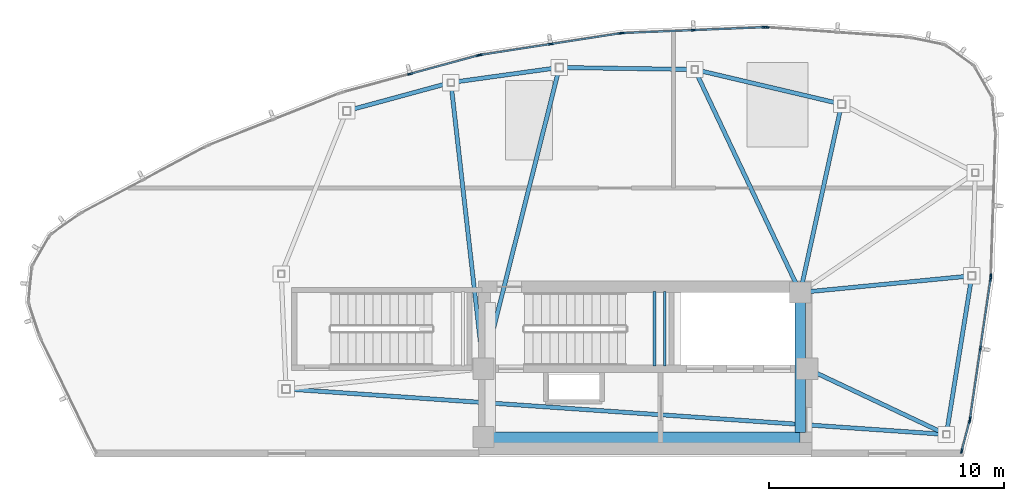
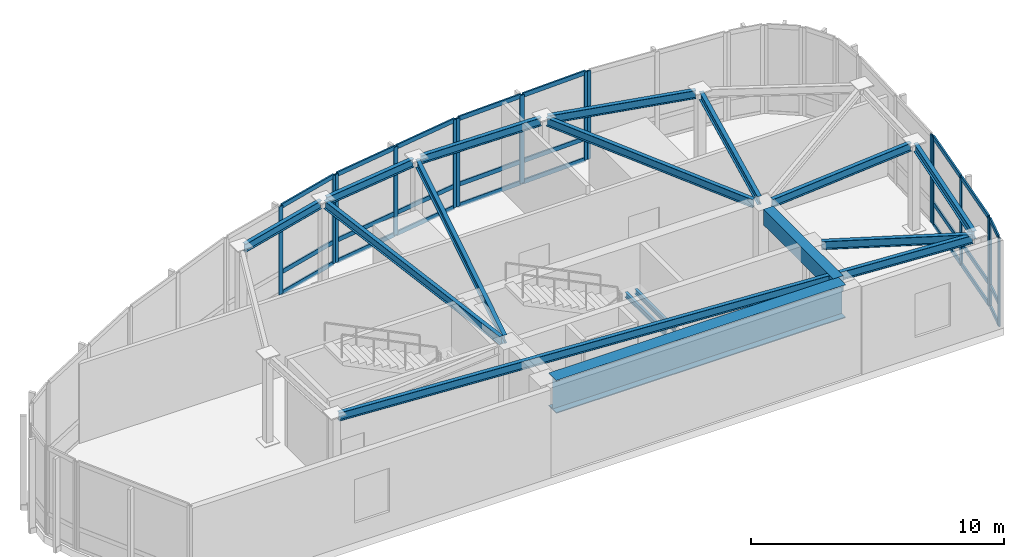
# One storey, part 3 of 10: 39 members, 16 beams, 7 elements without a shape of their own.
"""IFC4 building model written with IfcOpenShell, lengths in metres."""

from ifc_helpers import new_model, si_unit, direction, frame, origin, origin_2d, place, context, subcontext, project, spatial, rectangle, hollow_rectangle, i_section, extrude, source, transform, mapped, material, layer, layer_set, material_profile, profile_set, type_object, type_shapes, element, aggregate, save


model = new_model("IFC4")

# Units and contexts
model_context = context("Model", 3, precision=1e-05, world=origin(), true_north=direction((0.0, 1.0)))
body_context = subcontext(model_context, "Body", "Model", "MODEL_VIEW")
ifc_project = project(units=[si_unit("LENGTHUNIT", "METRE"), si_unit("AREAUNIT", "SQUARE_METRE"), si_unit("VOLUMEUNIT", "CUBIC_METRE"), si_unit("PLANEANGLEUNIT", "RADIAN"), si_unit("MASSUNIT", "GRAM", prefix="KILO")], contexts=[model_context])

# Site, building, storey
site_placement = place(None, origin())
site = spatial("IfcSite", under=ifc_project, at=site_placement, CompositionType="ELEMENT")
building_placement = place(site_placement, origin())
building = spatial("IfcBuilding", under=site, at=building_placement, Name="Tavelor Broadcast Tower", CompositionType="ELEMENT")
storey_placement = place(building_placement, frame((0.0, 0.0, 355.10009765625)))
storey = spatial("IfcBuildingStorey", under=building, at=storey_placement, Name="L84", CompositionType="ELEMENT", Elevation=355.10009765625)

# Beams
ifc_material_1 = material(Name="Concrete C40/50", Category="concrete")
ifc_material_profile_1 = material_profile(ifc_material_1, rectangle(XDim=0.449951171875, YDim=0.75, at=origin_2d()), Name="RC 450x750")
ifc_profile_set_1 = profile_set([ifc_material_profile_1], Name="Concrete C40/50")
beam_type_1 = type_object("IfcBeamType", Name="Basement Core Trim Beam 450x750", PredefinedType="BEAM", material=ifc_profile_set_1)
beam_1_placement = place(storey_placement, frame((56.60009765625, 45.23193359375, 3.875), z_axis=(0.0, 1.0, 0.0), x_axis=(-1.0, 0.0, 0.0)))
element("IfcBeam", 1, at=beam_1_placement, inside=storey, type_object=beam_type_1, Name="L84 Core East-N Tie Girder", PredefinedType="BEAM", context=body_context, shape_type="SweptSolid", body=[
    extrude(rectangle(XDim=0.449951171875, YDim=0.75, at=origin_2d()), origin(), (0.0, 0.0, 1.0), 5.5361328125),
])
ifc_material_2 = material(Name="Steel S355", Category="steel")
ifc_material_profile_2 = material_profile(ifc_material_2, i_section(OverallWidth=0.179931640625, OverallDepth=0.39990234375, WebThickness=0.008544921875, FlangeThickness=0.013427734375, at=origin_2d()), Name="IPE 400")
ifc_profile_set_2 = profile_set([ifc_material_profile_2], Name="Steel S355")
beam_type_2 = type_object("IfcBeamType", Name="Crown Ring Spandrel Beam IPE400", PredefinedType="SPANDREL", material=ifc_profile_set_2)
beam_2_placement = place(storey_placement, frame((34.868896484375, 47.07763671875, 4.0498046875), z_axis=(0.997631178399, -0.068789765859, 0.0), x_axis=(0.068789765859, 0.997631178399, 0.0)))
element("IfcBeam", 2, at=beam_2_placement, inside=storey, type_object=beam_type_2, Name="L84 Crown Peak A Ring Spandrel 3", PredefinedType="SPANDREL", context=body_context, shape_type="SweptSolid", body=[
    extrude(i_section(OverallWidth=0.179931640625, OverallDepth=0.39990234375, WebThickness=0.008544921875, FlangeThickness=0.013427734375, at=origin_2d()), origin(), (0.0, 0.0, 1.0), 27.870849609375),
])
beam_3_placement = place(storey_placement, frame((62.8505859375, 45.301025390625, 4.0498046875), z_axis=(0.158423056648, 0.987371325856, 0.0), x_axis=(-0.987371325856, 0.158423056648, 0.0)))
element("IfcBeam", 3, at=beam_3_placement, inside=storey, type_object=beam_type_2, Name="L84 Crown Peak A Ring Spandrel 4", PredefinedType="SPANDREL", context=body_context, shape_type="SweptSolid", body=[
    extrude(i_section(OverallWidth=0.179931640625, OverallDepth=0.39990234375, WebThickness=0.008544921875, FlangeThickness=0.013427734375, at=origin_2d()), origin(), (0.0, 0.0, 1.0), 6.515625),
])
beam_4_placement = place(storey_placement, frame((57.29052734375, 47.765380859375, 4.0498046875), z_axis=(0.904175381404, -0.427161421085, 0.0), x_axis=(0.427161421085, 0.904175381404, 0.0)))
element("IfcBeam", 4, at=beam_4_placement, inside=storey, type_object=beam_type_2, Name="L84 Crown Peak A Radial Beam 4", PredefinedType="SPANDREL", context=body_context, shape_type="SweptSolid", body=[
    extrude(i_section(OverallWidth=0.179931640625, OverallDepth=0.39990234375, WebThickness=0.008544921875, FlangeThickness=0.013427734375, at=origin_2d()), origin(), (0.0, 0.0, 1.0), 5.9697265625),
])
beam_5_placement = place(storey_placement, frame((57.030029296875, 51.24169921875, 4.0498046875), z_axis=(0.995308664836, 0.096750512672, 0.0), x_axis=(-0.096750512672, 0.995308664836, 0.0)))
element("IfcBeam", 5, at=beam_5_placement, inside=storey, type_object=beam_type_2, Name="L84 Crown Peak A Radial Beam 5", PredefinedType="SPANDREL", context=body_context, shape_type="SweptSolid", body=[
    extrude(i_section(OverallWidth=0.179931640625, OverallDepth=0.39990234375, WebThickness=0.008544921875, FlangeThickness=0.013427734375, at=origin_2d()), origin(), (0.0, 0.0, 1.0), 6.73486328125),
])
beam_6_placement = place(storey_placement, frame((58.190185546875, 59.26708984375, 4.0498046875), z_axis=(-0.973331019838, 0.229405156485, 0.0), x_axis=(-0.229405156485, -0.973331019838, 0.0)))
element("IfcBeam", 6, at=beam_6_placement, inside=storey, type_object=beam_type_2, Name="L84 Crown Peak A Ring Spandrel 7", PredefinedType="SPANDREL", context=body_context, shape_type="SweptSolid", body=[
    extrude(i_section(OverallWidth=0.179931640625, OverallDepth=0.39990234375, WebThickness=0.008544921875, FlangeThickness=0.013427734375, at=origin_2d()), origin(), (0.0, 0.0, 1.0), 6.10009765625),
])
beam_7_placement = place(storey_placement, frame((56.692626953125, 51.621826171875, 4.0498046875), z_axis=(0.21466342247, 0.976688084832, 0.0), x_axis=(-0.976688084832, 0.21466342247, 0.0)))
element("IfcBeam", 7, at=beam_7_placement, inside=storey, type_object=beam_type_2, Name="L84 Crown Peak A Radial Beam 7", PredefinedType="SPANDREL", context=body_context, shape_type="SweptSolid", body=[
    extrude(i_section(OverallWidth=0.179931640625, OverallDepth=0.39990234375, WebThickness=0.008544921875, FlangeThickness=0.013427734375, at=origin_2d()), origin(), (0.0, 0.0, 1.0), 7.607421875),
])
beam_8_placement = place(storey_placement, frame((51.950927734375, 60.703857421875, 4.0498046875), z_axis=(-0.999890824975, 0.01477626921, 0.0), x_axis=(-0.01477626921, -0.999890824975, 0.0)))
element("IfcBeam", 8, at=beam_8_placement, inside=storey, type_object=beam_type_2, Name="L84 Crown Peak A Ring Spandrel 8", PredefinedType="SPANDREL", context=body_context, shape_type="SweptSolid", body=[
    extrude(i_section(OverallWidth=0.179931640625, OverallDepth=0.39990234375, WebThickness=0.008544921875, FlangeThickness=0.013427734375, at=origin_2d()), origin(), (0.0, 0.0, 1.0), 5.435791015625),
])
beam_9_placement = place(storey_placement, frame((56.415283203125, 51.590576171875, 4.0498046875), z_axis=(-0.427748000898, 0.903898029497, 0.0), x_axis=(-0.903898029497, -0.427748000898, 0.0)))
element("IfcBeam", 9, at=beam_9_placement, inside=storey, type_object=beam_type_2, Name="L84 Crown Peak A Radial Beam 8", PredefinedType="SPANDREL", context=body_context, shape_type="SweptSolid", body=[
    extrude(i_section(OverallWidth=0.179931640625, OverallDepth=0.39990234375, WebThickness=0.008544921875, FlangeThickness=0.013427734375, at=origin_2d()), origin(), (0.0, 0.0, 1.0), 9.926513671875),
])
beam_10_placement = place(storey_placement, frame((46.160400390625, 60.762451171875, 4.0498046875), z_axis=(-0.990512514029, -0.13742255838, 0.0), x_axis=(0.13742255838, -0.990512514029, 0.0)))
element("IfcBeam", 10, at=beam_10_placement, inside=storey, type_object=beam_type_2, Name="L84 Crown Peak A Ring Spandrel 9", PredefinedType="SPANDREL", context=body_context, shape_type="SweptSolid", body=[
    extrude(i_section(OverallWidth=0.179931640625, OverallDepth=0.39990234375, WebThickness=0.008544921875, FlangeThickness=0.013427734375, at=origin_2d()), origin(), (0.0, 0.0, 1.0), 4.334716796875),
])
beam_11_placement = place(storey_placement, frame((43.20556640625, 48.368896484375, 4.0498046875), z_axis=(0.244522996769, 0.969643493275, 0.0), x_axis=(-0.969643493275, 0.244522996769, 0.0)))
element("IfcBeam", 11, at=beam_11_placement, inside=storey, type_object=beam_type_2, Name="L84 Crown Peak A Radial Beam 9", PredefinedType="SPANDREL", context=body_context, shape_type="SweptSolid", body=[
    extrude(i_section(OverallWidth=0.179931640625, OverallDepth=0.39990234375, WebThickness=0.008544921875, FlangeThickness=0.013427734375, at=origin_2d()), origin(), (0.0, 0.0, 1.0), 12.628173828125),
])
beam_12_placement = place(storey_placement, frame((41.5673828125, 60.105712890625, 4.0498046875), z_axis=(-0.964933753027, -0.262493528053, 0.0), x_axis=(0.262493528053, -0.964933753027, 0.0)))
element("IfcBeam", 12, at=beam_12_placement, inside=storey, type_object=beam_type_2, Name="L84 Crown Peak A Ring Spandrel 10", PredefinedType="SPANDREL", context=body_context, shape_type="SweptSolid", body=[
    extrude(i_section(OverallWidth=0.179931640625, OverallDepth=0.39990234375, WebThickness=0.008544921875, FlangeThickness=0.013427734375, at=origin_2d()), origin(), (0.0, 0.0, 1.0), 4.27197265625),
])
beam_13_placement = place(storey_placement, frame((43.05126953125, 48.379150390625, 4.0498046875), z_axis=(-0.112824398256, 0.993614943103, 0.0), x_axis=(-0.993614943103, -0.112824398256, 0.0)))
element("IfcBeam", 13, at=beam_13_placement, inside=storey, type_object=beam_type_2, Name="L84 Crown Peak A Radial Beam 10", PredefinedType="SPANDREL", context=body_context, shape_type="SweptSolid", body=[
    extrude(i_section(OverallWidth=0.179931640625, OverallDepth=0.39990234375, WebThickness=0.008544921875, FlangeThickness=0.013427734375, at=origin_2d()), origin(), (0.0, 0.0, 1.0), 11.689453125),
])
ifc_material_3 = material(Name="Steel S460", Category="steel")
ifc_material_profile_3 = material_profile(ifc_material_3, i_section(OverallWidth=0.60009765625, OverallDepth=1.60009765625, WebThickness=0.028076171875, FlangeThickness=0.048095703125, at=origin_2d()), Name="PG 1600x600")
ifc_profile_set_3 = profile_set([ifc_material_profile_3], Name="Steel S460")
beam_type_3 = type_object("IfcBeamType", Name="Crown and Spire Transfer Girder PG1600", PredefinedType="BEAM", material=ifc_profile_set_3)
beam_14_placement = place(storey_placement, frame((43.39990234375, 44.949951171875, 3.449951171875), z_axis=(1.0, 0.0, 0.0), x_axis=(0.0, 1.0, 0.0)))
element("IfcBeam", 14, at=beam_14_placement, inside=storey, type_object=beam_type_3, Name="L84 Spire Transfer Girder S", PredefinedType="BEAM", context=body_context, shape_type="SweptSolid", body=[
    extrude(i_section(OverallWidth=0.60009765625, OverallDepth=1.60009765625, WebThickness=0.028076171875, FlangeThickness=0.048095703125, at=origin_2d()), origin(), (0.0, 0.0, 1.0), 13.2001953125),
])
ifc_material_profile_4 = material_profile(ifc_material_2, i_section(OverallWidth=0.1201171875, OverallDepth=0.239990234375, WebThickness=0.006103515625, FlangeThickness=0.009765625, at=origin_2d()), Name="IPE 240")
ifc_profile_set_4 = profile_set([ifc_material_profile_4], Name="Steel S355")
beam_type_4 = type_object("IfcBeamType", Name="Stairwell Landing Support Trimmer Beam IPE240", PredefinedType="BEAM", material=ifc_profile_set_4)
for number, where, z_axis, x_axis, name in (
    (15, (50.385009765625, 48.06005859375, 1.98486328125), (0.0, 1.0, 0.0), (-1.0, 0.0, 0.0), "L84 Stair Landing Support Beam 213"),
    (16, (50.824951171875, 48.06005859375, 1.98486328125), (0.0, 1.0, 0.0), (-1.0, 0.0, 0.0), "L84 Stair Landing Support Beam 214"),
):
    element("IfcBeam", number, at=place(storey_placement, frame(where, z_axis=z_axis, x_axis=x_axis)), inside=storey, type_object=beam_type_4, Name=name, PredefinedType="BEAM", context=body_context, shape_type="SweptSolid", body=[
        extrude(i_section(OverallWidth=0.1201171875, OverallDepth=0.239990234375, WebThickness=0.006103515625, FlangeThickness=0.009765625, at=origin_2d()), origin(), (0.0, 0.0, 1.0), 3.179931640625),
    ])

# Curtain wall, members
ifc_material_4 = material(Name="Architectural Anodized Aluminium", Category="aluminium")
ifc_layer = layer(ifc_material_4, 0.2099609375)
ifc_layer_set = layer_set([ifc_layer], Name="Architectural Anodized Aluminium")
curtain_wall_type = type_object("IfcCurtainWallType", Name="Split-Crown Beacon Curtain Wall CW06", PredefinedType="NOTDEFINED", material=ifc_layer_set)
curtain_wall_1_placement = place(storey_placement, origin())
curtain_wall_1 = element("IfcCurtainWall", 17, at=curtain_wall_1_placement, inside=storey, type_object=curtain_wall_type, Name="L84 Curtain Wall CW06 Run 989", PredefinedType="NOTDEFINED")
ifc_material_profile_5 = material_profile(ifc_material_4, hollow_rectangle(XDim=0.072021484375, YDim=0.2099609375, WallThickness=0.02197265625, at=origin_2d()), Name="RHS 72x210x22")
ifc_profile_set_5 = profile_set([ifc_material_profile_5], Name="Architectural Anodized Aluminium")
member_type_1 = type_object("IfcMemberType", Name="CW06 Extruded Aluminium Mullion 72x210", PredefinedType="MULLION", material=ifc_profile_set_5)
shared_shape_1 = source(origin(), body_context, "Body", "SweptSolid", [
    extrude(hollow_rectangle(XDim=0.072021484375, YDim=0.2099609375, WallThickness=0.02197265625, at=origin_2d()), origin(), (0.0, 0.0, 1.0), 4.25),
])
type_shapes(member_type_1, [shared_shape_1])
member_1_placement = place(storey_placement, frame((63.47998046875, 44.4521484375, 0.0), z_axis=(0.0, 0.0, 1.0), x_axis=(-0.966886519621, 0.255206696964, 0.0)))
member_1 = element("IfcMember", 18, at=member_1_placement, type_object=member_type_1, Name="CW06 mullion 1", PredefinedType="MULLION", context=body_context, shape_type="MappedRepresentation", body=[
    mapped(shared_shape_1, transform((0.0, 0.0, 0.0), scale=1.0)),
])
member_2_placement = place(storey_placement, frame((63.815673828125, 45.723388671875, 0.0), z_axis=(0.0, 0.0, 1.0), x_axis=(-0.966886519621, 0.255206696964, 0.0)))
member_2 = element("IfcMember", 19, at=member_2_placement, type_object=member_type_1, Name="CW06 mullion 2", PredefinedType="MULLION", context=body_context, shape_type="MappedRepresentation", body=[
    mapped(shared_shape_1, transform((0.0, 0.0, 0.0), scale=1.0)),
])

curtain_wall_2_placement = place(storey_placement, origin())
curtain_wall_2 = element("IfcCurtainWall", 20, at=curtain_wall_2_placement, inside=storey, type_object=curtain_wall_type, Name="L84 Curtain Wall CW06 Run 990", PredefinedType="NOTDEFINED")
member_3_placement = place(storey_placement, frame((63.8359375, 45.8232421875, 0.0), z_axis=(0.0, 0.0, 1.0), x_axis=(-0.989393877841, 0.145257545382, 0.0)))
member_3 = element("IfcMember", 21, at=member_3_placement, type_object=member_type_1, Name="CW06 mullion 1", PredefinedType="MULLION", context=body_context, shape_type="MappedRepresentation", body=[
    mapped(shared_shape_1, transform((0.0, 0.0, 0.0), scale=1.0)),
])
member_4_placement = place(storey_placement, frame((64.27392578125, 48.805419921875, 0.0), z_axis=(0.0, 0.0, 1.0), x_axis=(-0.989393877841, 0.145257545382, 0.0)))
member_4 = element("IfcMember", 22, at=member_4_placement, type_object=member_type_1, Name="CW06 mullion 2", PredefinedType="MULLION", context=body_context, shape_type="MappedRepresentation", body=[
    mapped(shared_shape_1, transform((0.0, 0.0, 0.0), scale=1.0)),
])
member_5_placement = place(storey_placement, frame((64.711669921875, 51.78759765625, 0.0), z_axis=(0.0, 0.0, 1.0), x_axis=(-0.989393877841, 0.145257545382, 0.0)))
member_5 = element("IfcMember", 23, at=member_5_placement, type_object=member_type_1, Name="CW06 mullion 3", PredefinedType="MULLION", context=body_context, shape_type="MappedRepresentation", body=[
    mapped(shared_shape_1, transform((0.0, 0.0, 0.0), scale=1.0)),
])

# Curtain wall, member
curtain_wall_3_placement = place(storey_placement, origin())
curtain_wall_3 = element("IfcCurtainWall", 24, at=curtain_wall_3_placement, inside=storey, type_object=curtain_wall_type, Name="L84 Curtain Wall CW06 Run 991", PredefinedType="NOTDEFINED")
member_6_placement = place(storey_placement, frame((64.720703125, 51.888916015625, 0.0), z_axis=(0.0, 0.0, 1.0), x_axis=(-0.999438263288, 0.033513547637, 0.0)))
member_6 = element("IfcMember", 25, at=member_6_placement, type_object=member_type_1, Name="CW06 mullion 1", PredefinedType="MULLION", context=body_context, shape_type="MappedRepresentation", body=[
    mapped(shared_shape_1, transform((0.0, 0.0, 0.0), scale=1.0)),
])
aggregate(curtain_wall_3, [member_6])

curtain_wall_4_placement = place(storey_placement, origin())
curtain_wall_4 = element("IfcCurtainWall", 26, at=curtain_wall_4_placement, inside=storey, type_object=curtain_wall_type, Name="L84 Curtain Wall CW06 Run 996", PredefinedType="NOTDEFINED")
member_7_placement = place(storey_placement, frame((55.166259765625, 62.500244140625, 0.0), z_axis=(0.0, 0.0, 1.0), x_axis=(-0.071142181875, -0.997466184869, 0.0)))
member_7 = element("IfcMember", 27, at=member_7_placement, type_object=member_type_1, Name="CW06 mullion 3", PredefinedType="MULLION", context=body_context, shape_type="MappedRepresentation", body=[
    mapped(shared_shape_1, transform((0.0, 0.0, 0.0), scale=1.0)),
])
aggregate(curtain_wall_4, [member_7])

# Curtain wall, members
curtain_wall_5_placement = place(storey_placement, origin())
curtain_wall_5 = element("IfcCurtainWall", 28, at=curtain_wall_5_placement, inside=storey, type_object=curtain_wall_type, Name="L84 Curtain Wall CW06 Run 997", PredefinedType="NOTDEFINED")
member_8_placement = place(storey_placement, frame((55.064453125, 62.501708984375, 0.0), z_axis=(0.0, 0.0, 1.0), x_axis=(0.041030519226, -0.999157893674, 0.0)))
member_8 = element("IfcMember", 29, at=member_8_placement, type_object=member_type_1, Name="CW06 mullion 1", PredefinedType="MULLION", context=body_context, shape_type="MappedRepresentation", body=[
    mapped(shared_shape_1, transform((0.0, 0.0, 0.0), scale=1.0)),
])
member_9_placement = place(storey_placement, frame((52.052734375, 62.378173828125, 0.0), z_axis=(0.0, 0.0, 1.0), x_axis=(0.041030519226, -0.999157893674, 0.0)))
member_9 = element("IfcMember", 30, at=member_9_placement, type_object=member_type_1, Name="CW06 mullion 2", PredefinedType="MULLION", context=body_context, shape_type="MappedRepresentation", body=[
    mapped(shared_shape_1, transform((0.0, 0.0, 0.0), scale=1.0)),
])
member_10_placement = place(storey_placement, frame((49.041259765625, 62.25439453125, 0.0), z_axis=(0.0, 0.0, 1.0), x_axis=(0.041030519226, -0.999157893674, 0.0)))
member_10 = element("IfcMember", 31, at=member_10_placement, type_object=member_type_1, Name="CW06 mullion 3", PredefinedType="MULLION", context=body_context, shape_type="MappedRepresentation", body=[
    mapped(shared_shape_1, transform((0.0, 0.0, 0.0), scale=1.0)),
])

curtain_wall_6_placement = place(storey_placement, origin())
curtain_wall_6 = element("IfcCurtainWall", 32, at=curtain_wall_6_placement, inside=storey, type_object=curtain_wall_type, Name="L84 Curtain Wall CW06 Run 998", PredefinedType="NOTDEFINED")
member_11_placement = place(storey_placement, frame((48.93994140625, 62.244384765625, 0.0), z_axis=(0.0, 0.0, 1.0), x_axis=(0.15271494557, -0.988270279529, 0.0)))
member_11 = element("IfcMember", 33, at=member_11_placement, type_object=member_type_1, Name="CW06 mullion 1", PredefinedType="MULLION", context=body_context, shape_type="MappedRepresentation", body=[
    mapped(shared_shape_1, transform((0.0, 0.0, 0.0), scale=1.0)),
])
member_12_placement = place(storey_placement, frame((45.9609375, 61.7841796875, 0.0), z_axis=(0.0, 0.0, 1.0), x_axis=(0.15271494557, -0.988270279529, 0.0)))
member_12 = element("IfcMember", 34, at=member_12_placement, type_object=member_type_1, Name="CW06 mullion 2", PredefinedType="MULLION", context=body_context, shape_type="MappedRepresentation", body=[
    mapped(shared_shape_1, transform((0.0, 0.0, 0.0), scale=1.0)),
])
member_13_placement = place(storey_placement, frame((42.982177734375, 61.323974609375, 0.0), z_axis=(0.0, 0.0, 1.0), x_axis=(0.15271494557, -0.988270279529, 0.0)))
member_13 = element("IfcMember", 35, at=member_13_placement, type_object=member_type_1, Name="CW06 mullion 3", PredefinedType="MULLION", context=body_context, shape_type="MappedRepresentation", body=[
    mapped(shared_shape_1, transform((0.0, 0.0, 0.0), scale=1.0)),
])

curtain_wall_7_placement = place(storey_placement, origin())
curtain_wall_7 = element("IfcCurtainWall", 36, at=curtain_wall_7_placement, inside=storey, type_object=curtain_wall_type, Name="L84 Curtain Wall CW06 Run 999", PredefinedType="NOTDEFINED")
member_14_placement = place(storey_placement, frame((42.882568359375, 61.302734375, 0.0), z_axis=(0.0, 0.0, 1.0), x_axis=(0.262448768463, -0.964945927984, 0.0)))
member_14 = element("IfcMember", 37, at=member_14_placement, type_object=member_type_1, Name="CW06 mullion 1", PredefinedType="MULLION", context=body_context, shape_type="MappedRepresentation", body=[
    mapped(shared_shape_1, transform((0.0, 0.0, 0.0), scale=1.0)),
])
member_15_placement = place(storey_placement, frame((39.97412109375, 60.51171875, 0.0), z_axis=(0.0, 0.0, 1.0), x_axis=(0.262448768463, -0.964945927984, 0.0)))
member_15 = element("IfcMember", 38, at=member_15_placement, type_object=member_type_1, Name="CW06 mullion 2", PredefinedType="MULLION", context=body_context, shape_type="MappedRepresentation", body=[
    mapped(shared_shape_1, transform((0.0, 0.0, 0.0), scale=1.0)),
])
ifc_material_profile_6 = material_profile(ifc_material_4, hollow_rectangle(XDim=0.072021484375, YDim=0.2099609375, WallThickness=0.02197265625, at=origin_2d()), Name="RHS 72x210x22")
ifc_profile_set_6 = profile_set([ifc_material_profile_6], Name="Architectural Anodized Aluminium")
member_type_2 = type_object("IfcMemberType", Name="CW06 Extruded Aluminium Transom 72x210", PredefinedType="USERDEFINED", material=ifc_profile_set_6)
shared_shape_2 = source(origin(), body_context, "Body", "SweptSolid", [
    extrude(hollow_rectangle(XDim=0.072021484375, YDim=0.2099609375, WallThickness=0.02197265625, at=origin_2d()), origin(), (0.0, 0.0, 1.0), 2.94189453125),
])
member_16_placement = place(storey_placement, frame((42.847900390625, 61.293212890625, 0.035888671875), z_axis=(-0.964958891184, -0.262401101989, 0.0), x_axis=(0.262401101989, -0.964958891184, 0.0)))
member_16 = element("IfcMember", 39, at=member_16_placement, type_object=member_type_2, Name="CW06 transom 1.1", ObjectType="TRANSOM", PredefinedType="USERDEFINED", context=body_context, shape_type="MappedRepresentation", body=[
    mapped(shared_shape_2, transform((0.0, 0.0, 0.0), scale=1.0)),
])
member_17_placement = place(storey_placement, frame((42.847900390625, 61.293212890625, 1.0498046875), z_axis=(-0.964958891184, -0.262401101989, 0.0), x_axis=(0.262401101989, -0.964958891184, 0.0)))
member_17 = element("IfcMember", 40, at=member_17_placement, type_object=member_type_2, Name="CW06 transom 1.2", ObjectType="TRANSOM", PredefinedType="USERDEFINED", context=body_context, shape_type="MappedRepresentation", body=[
    mapped(shared_shape_2, transform((0.0, 0.0, 0.0), scale=1.0)),
])
member_18_placement = place(storey_placement, frame((42.847900390625, 61.293212890625, 4.2138671875), z_axis=(-0.964958891184, -0.262401101989, 0.0), x_axis=(0.262401101989, -0.964958891184, 0.0)))
member_18 = element("IfcMember", 41, at=member_18_placement, type_object=member_type_2, Name="CW06 transom 1.3", ObjectType="TRANSOM", PredefinedType="USERDEFINED", context=body_context, shape_type="MappedRepresentation", body=[
    mapped(shared_shape_2, transform((0.0, 0.0, 0.0), scale=1.0)),
])
aggregate(curtain_wall_7, [member_14, member_15, member_16, member_17, member_18])

# Member
shared_shape_3 = source(origin(), body_context, "Body", "SweptSolid", [
    extrude(hollow_rectangle(XDim=0.072021484375, YDim=0.2099609375, WallThickness=0.02197265625, at=origin_2d()), origin(), (0.0, 0.0, 1.0), 2.942138671875),
])
member_19_placement = place(storey_placement, frame((63.84130859375, 45.85888671875, 0.035888671875), z_axis=(0.14521925051, 0.989399499333, 0.0), x_axis=(-0.989399499333, 0.14521925051, 0.0)))
member_19 = element("IfcMember", 42, at=member_19_placement, type_object=member_type_2, Name="CW06 transom 1.1", ObjectType="TRANSOM", PredefinedType="USERDEFINED", context=body_context, shape_type="MappedRepresentation", body=[
    mapped(shared_shape_3, transform((0.0, 0.0, 0.0), scale=1.0)),
])

member_20_placement = place(storey_placement, frame((63.84130859375, 45.85888671875, 1.0498046875), z_axis=(0.14521925051, 0.989399499333, 0.0), x_axis=(-0.989399499333, 0.14521925051, 0.0)))
member_20 = element("IfcMember", 43, at=member_20_placement, type_object=member_type_2, Name="CW06 transom 1.2", ObjectType="TRANSOM", PredefinedType="USERDEFINED", context=body_context, shape_type="MappedRepresentation", body=[
    mapped(shared_shape_3, transform((0.0, 0.0, 0.0), scale=1.0)),
])

member_21_placement = place(storey_placement, frame((63.84130859375, 45.85888671875, 4.2138671875), z_axis=(0.14521925051, 0.989399499333, 0.0), x_axis=(-0.989399499333, 0.14521925051, 0.0)))
member_21 = element("IfcMember", 44, at=member_21_placement, type_object=member_type_2, Name="CW06 transom 1.3", ObjectType="TRANSOM", PredefinedType="USERDEFINED", context=body_context, shape_type="MappedRepresentation", body=[
    mapped(shared_shape_3, transform((0.0, 0.0, 0.0), scale=1.0)),
])

member_22_placement = place(storey_placement, frame((64.279052734375, 48.841064453125, 0.035888671875), z_axis=(0.145300481485, 0.989387573239, 0.0), x_axis=(-0.989387573239, 0.145300481485, 0.0)))
member_22 = element("IfcMember", 45, at=member_22_placement, type_object=member_type_2, Name="CW06 transom 2.1", ObjectType="TRANSOM", PredefinedType="USERDEFINED", context=body_context, shape_type="MappedRepresentation", body=[
    mapped(shared_shape_3, transform((0.0, 0.0, 0.0), scale=1.0)),
])

member_23_placement = place(storey_placement, frame((64.279052734375, 48.841064453125, 1.0498046875), z_axis=(0.145300481485, 0.989387573239, 0.0), x_axis=(-0.989387573239, 0.145300481485, 0.0)))
member_23 = element("IfcMember", 46, at=member_23_placement, type_object=member_type_2, Name="CW06 transom 2.2", ObjectType="TRANSOM", PredefinedType="USERDEFINED", context=body_context, shape_type="MappedRepresentation", body=[
    mapped(shared_shape_3, transform((0.0, 0.0, 0.0), scale=1.0)),
])

member_24_placement = place(storey_placement, frame((64.279052734375, 48.841064453125, 4.2138671875), z_axis=(0.145300481485, 0.989387573239, 0.0), x_axis=(-0.989387573239, 0.145300481485, 0.0)))
member_24 = element("IfcMember", 47, at=member_24_placement, type_object=member_type_2, Name="CW06 transom 2.3", ObjectType="TRANSOM", PredefinedType="USERDEFINED", context=body_context, shape_type="MappedRepresentation", body=[
    mapped(shared_shape_3, transform((0.0, 0.0, 0.0), scale=1.0)),
])

aggregate(curtain_wall_2, [member_3, member_4, member_5, member_19, member_20, member_21, member_22, member_23, member_24])

member_25_placement = place(storey_placement, frame((55.028564453125, 62.500244140625, 0.035888671875), z_axis=(-0.999159474358, -0.040992008997, 0.0), x_axis=(0.040992008997, -0.999159474358, 0.0)))
member_25 = element("IfcMember", 48, at=member_25_placement, type_object=member_type_2, Name="CW06 transom 1.1", ObjectType="TRANSOM", PredefinedType="USERDEFINED", context=body_context, shape_type="MappedRepresentation", body=[
    mapped(shared_shape_3, transform((0.0, 0.0, 0.0), scale=1.0)),
])

member_26_placement = place(storey_placement, frame((55.028564453125, 62.500244140625, 1.0498046875), z_axis=(-0.999159474358, -0.040992008997, 0.0), x_axis=(0.040992008997, -0.999159474358, 0.0)))
member_26 = element("IfcMember", 49, at=member_26_placement, type_object=member_type_2, Name="CW06 transom 1.2", ObjectType="TRANSOM", PredefinedType="USERDEFINED", context=body_context, shape_type="MappedRepresentation", body=[
    mapped(shared_shape_3, transform((0.0, 0.0, 0.0), scale=1.0)),
])

member_27_placement = place(storey_placement, frame((55.028564453125, 62.500244140625, 4.2138671875), z_axis=(-0.999159474358, -0.040992008997, 0.0), x_axis=(0.040992008997, -0.999159474358, 0.0)))
member_27 = element("IfcMember", 50, at=member_27_placement, type_object=member_type_2, Name="CW06 transom 1.3", ObjectType="TRANSOM", PredefinedType="USERDEFINED", context=body_context, shape_type="MappedRepresentation", body=[
    mapped(shared_shape_3, transform((0.0, 0.0, 0.0), scale=1.0)),
])

member_28_placement = place(storey_placement, frame((52.016845703125, 62.376708984375, 0.035888671875), z_axis=(-0.999156072286, -0.041074848915, 0.0), x_axis=(0.041074848915, -0.999156072286, 0.0)))
member_28 = element("IfcMember", 51, at=member_28_placement, type_object=member_type_2, Name="CW06 transom 2.1", ObjectType="TRANSOM", PredefinedType="USERDEFINED", context=body_context, shape_type="MappedRepresentation", body=[
    mapped(shared_shape_3, transform((0.0, 0.0, 0.0), scale=1.0)),
])

member_29_placement = place(storey_placement, frame((52.016845703125, 62.376708984375, 1.0498046875), z_axis=(-0.999156072286, -0.041074848915, 0.0), x_axis=(0.041074848915, -0.999156072286, 0.0)))
member_29 = element("IfcMember", 52, at=member_29_placement, type_object=member_type_2, Name="CW06 transom 2.2", ObjectType="TRANSOM", PredefinedType="USERDEFINED", context=body_context, shape_type="MappedRepresentation", body=[
    mapped(shared_shape_3, transform((0.0, 0.0, 0.0), scale=1.0)),
])

member_30_placement = place(storey_placement, frame((52.016845703125, 62.376708984375, 4.2138671875), z_axis=(-0.999156072286, -0.041074848915, 0.0), x_axis=(0.041074848915, -0.999156072286, 0.0)))
member_30 = element("IfcMember", 53, at=member_30_placement, type_object=member_type_2, Name="CW06 transom 2.3", ObjectType="TRANSOM", PredefinedType="USERDEFINED", context=body_context, shape_type="MappedRepresentation", body=[
    mapped(shared_shape_3, transform((0.0, 0.0, 0.0), scale=1.0)),
])

aggregate(curtain_wall_5, [member_8, member_9, member_10, member_25, member_26, member_27, member_28, member_29, member_30])

member_31_placement = place(storey_placement, frame((48.904296875, 62.239013671875, 0.035888671875), z_axis=(-0.988275571902, -0.152680692888, 0.0), x_axis=(0.152680692888, -0.988275571902, 0.0)))
member_31 = element("IfcMember", 54, at=member_31_placement, type_object=member_type_2, Name="CW06 transom 1.1", ObjectType="TRANSOM", PredefinedType="USERDEFINED", context=body_context, shape_type="MappedRepresentation", body=[
    mapped(shared_shape_3, transform((0.0, 0.0, 0.0), scale=1.0)),
])

member_32_placement = place(storey_placement, frame((48.904296875, 62.239013671875, 1.0498046875), z_axis=(-0.988275571902, -0.152680692888, 0.0), x_axis=(0.152680692888, -0.988275571902, 0.0)))
member_32 = element("IfcMember", 55, at=member_32_placement, type_object=member_type_2, Name="CW06 transom 1.2", ObjectType="TRANSOM", PredefinedType="USERDEFINED", context=body_context, shape_type="MappedRepresentation", body=[
    mapped(shared_shape_3, transform((0.0, 0.0, 0.0), scale=1.0)),
])

member_33_placement = place(storey_placement, frame((48.904296875, 62.239013671875, 4.2138671875), z_axis=(-0.988275571902, -0.152680692888, 0.0), x_axis=(0.152680692888, -0.988275571902, 0.0)))
member_33 = element("IfcMember", 56, at=member_33_placement, type_object=member_type_2, Name="CW06 transom 1.3", ObjectType="TRANSOM", PredefinedType="USERDEFINED", context=body_context, shape_type="MappedRepresentation", body=[
    mapped(shared_shape_3, transform((0.0, 0.0, 0.0), scale=1.0)),
])

member_34_placement = place(storey_placement, frame((45.925537109375, 61.77880859375, 0.035888671875), z_axis=(-0.988263048042, -0.152761735638, 0.0), x_axis=(0.152761735638, -0.988263048042, 0.0)))
member_34 = element("IfcMember", 57, at=member_34_placement, type_object=member_type_2, Name="CW06 transom 2.1", ObjectType="TRANSOM", PredefinedType="USERDEFINED", context=body_context, shape_type="MappedRepresentation", body=[
    mapped(shared_shape_3, transform((0.0, 0.0, 0.0), scale=1.0)),
])

member_35_placement = place(storey_placement, frame((45.925537109375, 61.77880859375, 1.0498046875), z_axis=(-0.988263048042, -0.152761735638, 0.0), x_axis=(0.152761735638, -0.988263048042, 0.0)))
member_35 = element("IfcMember", 58, at=member_35_placement, type_object=member_type_2, Name="CW06 transom 2.2", ObjectType="TRANSOM", PredefinedType="USERDEFINED", context=body_context, shape_type="MappedRepresentation", body=[
    mapped(shared_shape_3, transform((0.0, 0.0, 0.0), scale=1.0)),
])

member_36_placement = place(storey_placement, frame((45.925537109375, 61.77880859375, 4.2138671875), z_axis=(-0.988263048042, -0.152761735638, 0.0), x_axis=(0.152761735638, -0.988263048042, 0.0)))
member_36 = element("IfcMember", 59, at=member_36_placement, type_object=member_type_2, Name="CW06 transom 2.3", ObjectType="TRANSOM", PredefinedType="USERDEFINED", context=body_context, shape_type="MappedRepresentation", body=[
    mapped(shared_shape_3, transform((0.0, 0.0, 0.0), scale=1.0)),
])

aggregate(curtain_wall_6, [member_11, member_12, member_13, member_31, member_32, member_33, member_34, member_35, member_36])

shared_shape_4 = source(origin(), body_context, "Body", "SweptSolid", [
    extrude(hollow_rectangle(XDim=0.072021484375, YDim=0.2099609375, WallThickness=0.02197265625, at=origin_2d()), origin(), (0.0, 0.0, 1.0), 1.24267578125),
])
type_shapes(member_type_2, [shared_shape_2, shared_shape_3, shared_shape_4])
member_37_placement = place(storey_placement, frame((63.4892578125, 44.487060546875, 0.035888671875), z_axis=(0.25522824631, 0.966880831481, 0.0), x_axis=(-0.966880831481, 0.25522824631, 0.0)))
member_37 = element("IfcMember", 60, at=member_37_placement, type_object=member_type_2, Name="CW06 transom 1.1", ObjectType="TRANSOM", PredefinedType="USERDEFINED", context=body_context, shape_type="MappedRepresentation", body=[
    mapped(shared_shape_4, transform((0.0, 0.0, 0.0), scale=1.0)),
])

member_38_placement = place(storey_placement, frame((63.4892578125, 44.487060546875, 1.0498046875), z_axis=(0.25522824631, 0.966880831481, 0.0), x_axis=(-0.966880831481, 0.25522824631, 0.0)))
member_38 = element("IfcMember", 61, at=member_38_placement, type_object=member_type_2, Name="CW06 transom 1.2", ObjectType="TRANSOM", PredefinedType="USERDEFINED", context=body_context, shape_type="MappedRepresentation", body=[
    mapped(shared_shape_4, transform((0.0, 0.0, 0.0), scale=1.0)),
])

member_39_placement = place(storey_placement, frame((63.4892578125, 44.487060546875, 4.2138671875), z_axis=(0.25522824631, 0.966880831481, 0.0), x_axis=(-0.966880831481, 0.25522824631, 0.0)))
member_39 = element("IfcMember", 62, at=member_39_placement, type_object=member_type_2, Name="CW06 transom 1.3", ObjectType="TRANSOM", PredefinedType="USERDEFINED", context=body_context, shape_type="MappedRepresentation", body=[
    mapped(shared_shape_4, transform((0.0, 0.0, 0.0), scale=1.0)),
])

aggregate(curtain_wall_1, [member_1, member_2, member_37, member_38, member_39])

save(model, "model.ifc")
